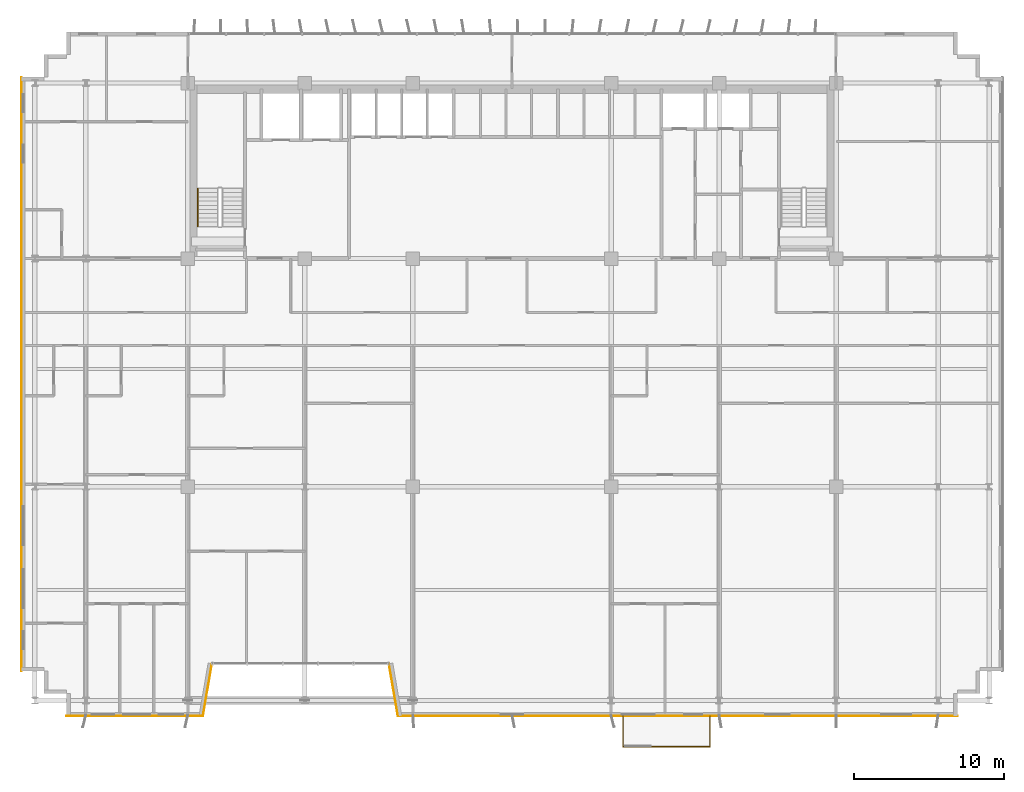
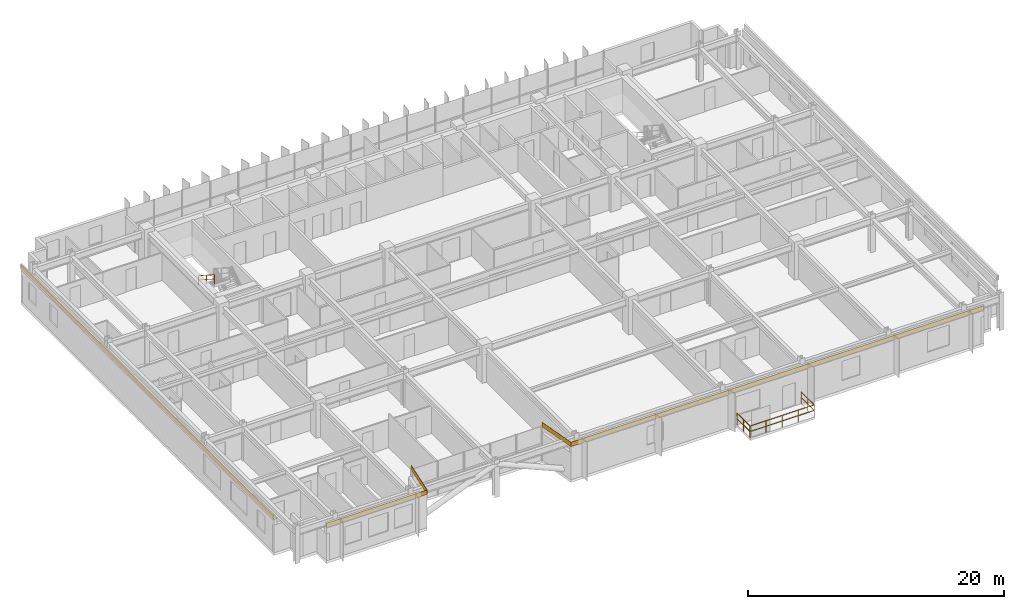
# One storey, part 23 of 25: 5 coverings, 4 railings.
"""IFC4 building model written with IfcOpenShell, lengths in metres."""

from ifc_helpers import new_model, si_unit, direction, frame, origin, origin_2d, place, context, subcontext, project, spatial, rectangle, extrude, source, transform, mapped, material, layer, layer_set, type_object, element, save


model = new_model("IFC4")

# Units and contexts
model_context = context("Model", 3, precision=1e-05, world=origin(), true_north=direction((0.0, 1.0)))
body_context = subcontext(model_context, "Body", "Model", "MODEL_VIEW")
ifc_project = project(units=[si_unit("LENGTHUNIT", "METRE"), si_unit("AREAUNIT", "SQUARE_METRE"), si_unit("VOLUMEUNIT", "CUBIC_METRE"), si_unit("PLANEANGLEUNIT", "RADIAN"), si_unit("MASSUNIT", "GRAM", prefix="KILO")], contexts=[model_context])

# Site, building, storey
site_placement = place(None, origin())
site = spatial("IfcSite", under=ifc_project, at=site_placement, CompositionType="ELEMENT")
building_placement = place(site_placement, origin())
building = spatial("IfcBuilding", under=site, at=building_placement, Name="Trelvane Seafront Commons", CompositionType="ELEMENT")
storey_placement = place(building_placement, frame((0.0, 0.0, 70.300048828125)))
storey = spatial("IfcBuildingStorey", under=building, at=storey_placement, Name="L18", CompositionType="ELEMENT", Elevation=70.300048828125)

# Railings
ifc_material_1 = material(Name="Stainless steel balustrade", Category="steel")
railing_type_1 = type_object("IfcRailingType", Name="ARCH-RAIL-BAL1150", PredefinedType="BALUSTRADE", material=ifc_material_1)
railing_1_placement = place(storey_placement, frame((44.60009765625, 2.89990234375, 0.0)))
element("IfcRailing", 1, at=railing_1_placement, inside=storey, type_object=railing_type_1, Name="RL-L18-BAL0-01", PredefinedType="BALUSTRADE", context=body_context, shape_type="SweptSolid", body=[
    extrude(rectangle(XDim=0.048095703125, YDim=0.048095703125, at=origin_2d()), frame((0.0, 0.0, 1.1259765625), z_axis=(0.0, -1.0, 0.0), x_axis=(1.0, 0.0, 0.0)), (0.0, 0.0, 1.0), 2.039794921875),
    extrude(rectangle(XDim=0.048095703125, YDim=0.048095703125, at=origin_2d()), frame((0.0, 0.0, 0.597900390625), z_axis=(0.0, -1.0, 0.0), x_axis=(1.0, 0.0, 0.0)), (0.0, 0.0, 1.0), 2.039794921875),
    extrude(rectangle(XDim=0.0419921875, YDim=0.0419921875, at=origin_2d()), origin(), (0.0, 0.0, 1.0), 1.1259765625),
    extrude(rectangle(XDim=0.0419921875, YDim=0.0419921875, at=origin_2d()), frame((0.0, -1.02001953125, 0.0)), (0.0, 0.0, 1.0), 1.1259765625),
    extrude(rectangle(XDim=0.0419921875, YDim=0.0419921875, at=origin_2d()), frame((0.0, -2.039794921875, 0.0)), (0.0, 0.0, 1.0), 1.1259765625),
])
railing_2_placement = place(storey_placement, frame((44.60009765625, 0.860107421875, 0.0)))
element("IfcRailing", 2, at=railing_2_placement, inside=storey, type_object=railing_type_1, Name="RL-L18-BAL0-02", PredefinedType="BALUSTRADE", context=body_context, shape_type="SweptSolid", body=[
    extrude(rectangle(XDim=0.048095703125, YDim=0.048095703125, at=origin_2d()), frame((0.0, 0.0, 1.1259765625), z_axis=(1.0, 0.0, 0.0), x_axis=(0.0, 1.0, 0.0)), (0.0, 0.0, 1.0), 5.7998046875),
    extrude(rectangle(XDim=0.048095703125, YDim=0.048095703125, at=origin_2d()), frame((0.0, 0.0, 0.597900390625), z_axis=(1.0, 0.0, 0.0), x_axis=(0.0, 1.0, 0.0)), (0.0, 0.0, 1.0), 5.7998046875),
    extrude(rectangle(XDim=0.0419921875, YDim=0.0419921875, at=origin_2d()), origin(), (0.0, 0.0, 1.0), 1.1259765625),
    extrude(rectangle(XDim=0.0419921875, YDim=0.0419921875, at=origin_2d()), frame((1.449951171875, 0.0, 0.0)), (0.0, 0.0, 1.0), 1.1259765625),
    extrude(rectangle(XDim=0.0419921875, YDim=0.0419921875, at=origin_2d()), frame((2.89990234375, 0.0, 0.0)), (0.0, 0.0, 1.0), 1.1259765625),
    extrude(rectangle(XDim=0.0419921875, YDim=0.0419921875, at=origin_2d()), frame((4.349853515625, 0.0, 0.0)), (0.0, 0.0, 1.0), 1.1259765625),
    extrude(rectangle(XDim=0.0419921875, YDim=0.0419921875, at=origin_2d()), frame((5.7998046875, 0.0, 0.0)), (0.0, 0.0, 1.0), 1.1259765625),
])
railing_3_placement = place(storey_placement, frame((50.39990234375, 0.860107421875, 0.0)))
element("IfcRailing", 3, at=railing_3_placement, inside=storey, type_object=railing_type_1, Name="RL-L18-BAL0-03", PredefinedType="BALUSTRADE", context=body_context, shape_type="SweptSolid", body=[
    extrude(rectangle(XDim=0.048095703125, YDim=0.048095703125, at=origin_2d()), frame((0.0, 0.0, 1.1259765625), z_axis=(0.0, 1.0, 0.0), x_axis=(-1.0, 0.0, 0.0)), (0.0, 0.0, 1.0), 2.039794921875),
    extrude(rectangle(XDim=0.048095703125, YDim=0.048095703125, at=origin_2d()), frame((0.0, 0.0, 0.597900390625), z_axis=(0.0, 1.0, 0.0), x_axis=(-1.0, 0.0, 0.0)), (0.0, 0.0, 1.0), 2.039794921875),
    extrude(rectangle(XDim=0.0419921875, YDim=0.0419921875, at=origin_2d()), origin(), (0.0, 0.0, 1.0), 1.1259765625),
    extrude(rectangle(XDim=0.0419921875, YDim=0.0419921875, at=origin_2d()), frame((0.0, 1.02001953125, 0.0)), (0.0, 0.0, 1.0), 1.1259765625),
    extrude(rectangle(XDim=0.0419921875, YDim=0.0419921875, at=origin_2d()), frame((0.0, 2.039794921875, 0.0)), (0.0, 0.0, 1.0), 1.1259765625),
])
railing_type_2 = type_object("IfcRailingType", Name="ARCH-SRL-HAND", PredefinedType="HANDRAIL", material=ifc_material_1)
railing_4_placement = place(storey_placement, frame((16.25, 38.070068359375, 1.97998046875)))
element("IfcRailing", 4, at=railing_4_placement, inside=storey, type_object=railing_type_2, Name="L18 ST-1 stair handrail 2", PredefinedType="HANDRAIL", context=body_context, shape_type="SweptSolid", body=[
    extrude(rectangle(XDim=0.048095703125, YDim=0.048095703125, at=origin_2d()), frame((0.0, 0.0, 0.8759765625), z_axis=(0.0, -0.841199657755, 0.540724639528), x_axis=(1.0, 0.0, 0.0)), (0.0, 0.0, 1.0), 2.995849609375),
    extrude(rectangle(XDim=0.048095703125, YDim=0.048095703125, at=origin_2d()), frame((0.0, 0.0, 0.468017578125), z_axis=(0.0, -0.841199657755, 0.540724639528), x_axis=(1.0, 0.0, 0.0)), (0.0, 0.0, 1.0), 2.995849609375),
    extrude(rectangle(XDim=0.0419921875, YDim=0.0419921875, at=origin_2d()), origin(), (0.0, 0.0, 1.0), 0.8759765625),
    extrude(rectangle(XDim=0.0419921875, YDim=0.0419921875, at=origin_2d()), frame((0.0, -1.260009765625, 0.81005859375)), (0.0, 0.0, 1.0), 0.8759765625),
    extrude(rectangle(XDim=0.0419921875, YDim=0.0419921875, at=origin_2d()), frame((0.0, -2.52001953125, 1.619873046875)), (0.0, 0.0, 1.0), 0.8759765625),
])

# Coverings
ifc_material_2 = material(Name="Anodised pale-silver aluminium", Category="aluminium")
ifc_layer = layer(ifc_material_2, 0.034912109375, Name="ARCH-COV-CLAD35")
ifc_layer_set = layer_set([ifc_layer], Name="Anodised pale-silver aluminium")
covering_type = type_object("IfcCoveringType", Name="ARCH-COV-CLAD35", PredefinedType="CLADDING", material=ifc_layer_set)
shared_shape_1 = source(origin(), body_context, "Body", "SweptSolid", [
    extrude(rectangle(XDim=39.60009765625, YDim=0.034912109375, at=origin_2d()), origin(), (0.0, 0.0, 1.0), 0.419921875),
])
covering_1_placement = place(storey_placement, frame((4.5, 25.699951171875, 3.179931640625), z_axis=(0.0, 0.0, 1.0), x_axis=(0.0, 1.0, 0.0)))
element("IfcCovering", 5, at=covering_1_placement, inside=storey, type_object=covering_type, Name="CLD-L18-00085", PredefinedType="CLADDING", context=body_context, shape_type="MappedRepresentation", body=[
    mapped(shared_shape_1, transform((0.0, 0.0, 0.0), x_axis=(1.0, 0.0, 0.0), y_axis=(0.0, 1.0, 0.0), z_axis=(0.0, 0.0, 1.0), scale=1.0)),
])
shared_shape_2 = source(origin(), body_context, "Body", "SweptSolid", [
    extrude(rectangle(XDim=37.300048828125, YDim=0.034912109375, at=origin_2d()), origin(), (0.0, 0.0, 1.0), 0.419921875),
])
covering_2_placement = place(storey_placement, frame((48.25, 2.89990234375, 3.179931640625), z_axis=(0.0, 0.0, 1.0), x_axis=(-1.0, 0.0, 0.0)))
element("IfcCovering", 6, at=covering_2_placement, inside=storey, type_object=covering_type, Name="CLD-L18-00087", PredefinedType="CLADDING", context=body_context, shape_type="MappedRepresentation", body=[
    mapped(shared_shape_2, transform((0.0, 0.0, 0.0), x_axis=(1.0, 0.0, 0.0), y_axis=(0.0, 1.0, 0.0), z_axis=(0.0, 0.0, 1.0), scale=1.0)),
])
shared_shape_3 = source(origin(), body_context, "Body", "SweptSolid", [
    extrude(rectangle(XDim=3.551025390625, YDim=0.034912109375, at=origin_2d()), origin(), (0.0, 0.0, 1.0), 0.419921875),
])
for number, where, z_axis, x_axis, name in (
    (7, (29.300048828125, 4.64990234375, 3.179931640625), (0.0, 0.0, 1.0), (-0.168964184077, 0.985622191562, 0.0), "CLD-L18-00088"),
    (8, (16.89990234375, 4.64990234375, 3.179931640625), (0.0, 0.0, 1.0), (-0.168964184077, -0.985622191562, 0.0), "CLD-L18-00089"),
):
    element("IfcCovering", number, at=place(storey_placement, frame(where, z_axis=z_axis, x_axis=x_axis)), inside=storey, type_object=covering_type, Name=name, PredefinedType="CLADDING", context=body_context, shape_type="MappedRepresentation", body=[
        mapped(shared_shape_3, transform((0.0, 0.0, 0.0), x_axis=(1.0, 0.0, 0.0), y_axis=(0.0, 1.0, 0.0), z_axis=(0.0, 0.0, 1.0), scale=1.0)),
    ])
shared_shape_4 = source(origin(), body_context, "Body", "SweptSolid", [
    extrude(rectangle(XDim=9.10009765625, YDim=0.034912109375, at=origin_2d()), origin(), (0.0, 0.0, 1.0), 0.419921875),
])
covering_3_placement = place(storey_placement, frame((12.050048828125, 2.89990234375, 3.179931640625), z_axis=(0.0, 0.0, 1.0), x_axis=(-1.0, 0.0, 0.0)))
element("IfcCovering", 9, at=covering_3_placement, inside=storey, type_object=covering_type, Name="CLD-L18-00090", PredefinedType="CLADDING", context=body_context, shape_type="MappedRepresentation", body=[
    mapped(shared_shape_4, transform((0.0, 0.0, 0.0), x_axis=(1.0, 0.0, 0.0), y_axis=(0.0, 1.0, 0.0), z_axis=(0.0, 0.0, 1.0), scale=1.0)),
])

save(model, "model.ifc")
